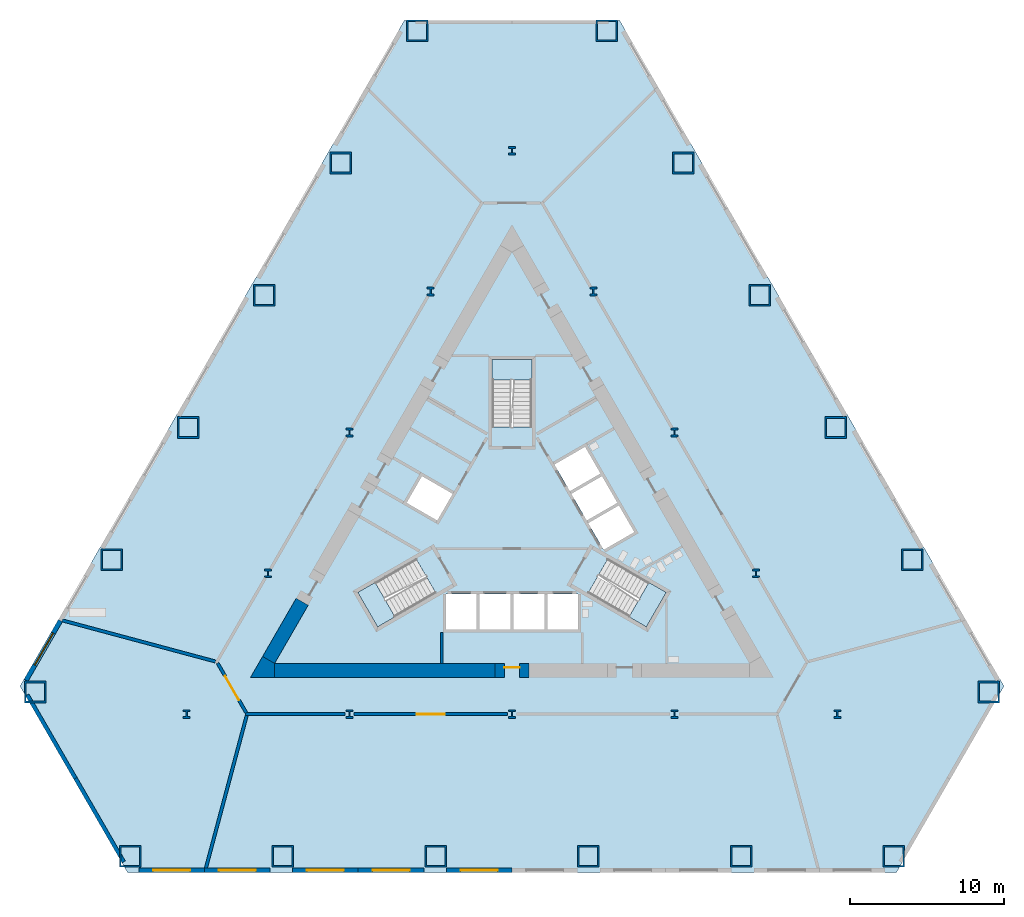
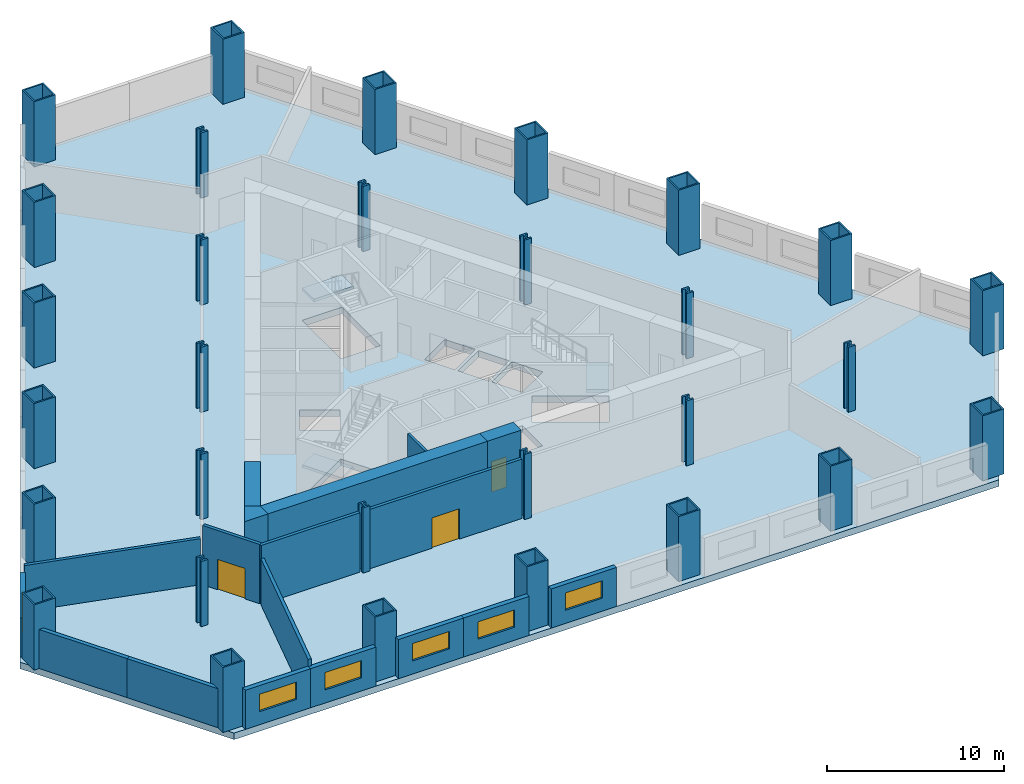
# One storey, part 1 of 8: 30 columns, 18 walls, 6 windows, 4 slabs, 3 doors, 9 openings, 3 elements without a shape of their own.
"""IFC4 building model written with IfcOpenShell, lengths in metres."""

from ifc_helpers import new_model, si_unit, direction, frame, frame_2d, origin, origin_2d, place, context, subcontext, project, spatial, polyline, rectangle, hollow_rectangle, i_section, outline, extrude, material, layer, layer_set, material_profile, profile_set, type_object, element, fill, aggregate, save


model = new_model("IFC4")

# Units and contexts
model_context = context("Model", 3, precision=1e-05, world=origin(), true_north=direction((0.0, 1.0)))
body_context = subcontext(model_context, "Body", "Model", "MODEL_VIEW")
ifc_project = project(units=[si_unit("LENGTHUNIT", "METRE"), si_unit("AREAUNIT", "SQUARE_METRE"), si_unit("VOLUMEUNIT", "CUBIC_METRE"), si_unit("PLANEANGLEUNIT", "RADIAN"), si_unit("MASSUNIT", "GRAM", prefix="KILO")], contexts=[model_context])

# Site, building, storey
site_placement = place(None, origin())
site = spatial("IfcSite", under=ifc_project, at=site_placement, CompositionType="ELEMENT")
building_placement = place(site_placement, origin())
building = spatial("IfcBuilding", under=site, at=building_placement, Name="Cormorant Prow Tower", CompositionType="ELEMENT")
storey_placement = place(building_placement, frame((0.0, 0.0, 25.5)))
storey = spatial("IfcBuildingStorey", under=building, at=storey_placement, Name="L04", CompositionType="ELEMENT", Elevation=25.5)

# Columns
ifc_material_1 = material(Name="Structural steel ASTM A572 Gr 50", Category="steel")
ifc_material_profile_1 = material_profile(ifc_material_1, hollow_rectangle(XDim=1.39990234375, YDim=1.39990234375, WallThickness=0.10009765625, at=origin_2d()), Name="Box 1400x1400x100")
ifc_profile_set_1 = profile_set([ifc_material_profile_1], Name="Structural steel ASTM A572 Gr 50")
column_type_1 = type_object("IfcColumnType", Name="Perimeter box column 1400x1400x100", PredefinedType="COLUMN", material=ifc_profile_set_1)
for number, where, z_axis, x_axis, name in (
    (1, (-24.830322265625, -21.4599609375, 0.0), (0.0, 0.0, 1.0), (1.0, 0.0, 0.0), "Perimeter column at S00 L04"),
    (2, (-14.898193359375, -21.4599609375, 0.0), (0.0, 0.0, 1.0), (1.0, 0.0, 0.0), "Perimeter column at S02 L04"),
    (3, (-4.966064453125, -21.4599609375, 0.0), (0.0, 0.0, 1.0), (1.0, 0.0, 0.0), "Perimeter column at S04 L04"),
    (4, (4.966064453125, -21.4599609375, 0.0), (0.0, 0.0, 1.0), (1.0, 0.0, 0.0), "Perimeter column at S06 L04"),
    (5, (14.898193359375, -21.4599609375, 0.0), (0.0, 0.0, 1.0), (1.0, 0.0, 0.0), "Perimeter column at S08 L04"),
    (6, (24.830322265625, -21.4599609375, 0.0), (0.0, 0.0, 1.0), (1.0, 0.0, 0.0), "Perimeter column at ESE00 L04"),
    (7, (31.0, -10.773681640625, 0.0), (0.0, 0.0, 1.0), (1.0, 0.0, 0.0), "Perimeter column at ENE00 L04"),
    (8, (26.033935546875, -2.17236328125, 0.0), (0.0, 0.0, 1.0), (1.0, 0.0, 0.0), "Perimeter column at ENE02 L04"),
    (9, (21.06787109375, 6.42919921875, 0.0), (0.0, 0.0, 1.0), (1.0, 0.0, 0.0), "Perimeter column at ENE04 L04"),
    (10, (16.101806640625, 15.03076171875, 0.0), (0.0, 0.0, 1.0), (1.0, 0.0, 0.0), "Perimeter column at ENE06 L04"),
    (11, (11.1357421875, 23.632080078125, 0.0), (0.0, 0.0, 1.0), (1.0, 0.0, 0.0), "Perimeter column at ENE08 L04"),
    (12, (6.169677734375, 32.233642578125, 0.0), (0.0, 0.0, 1.0), (1.0, 0.0, 0.0), "Perimeter column at N00 L04"),
    (13, (-6.169677734375, 32.233642578125, 0.0), (0.0, 0.0, 1.0), (1.0, 0.0, 0.0), "Perimeter column at WNW00 L04"),
    (14, (-11.1357421875, 23.632080078125, 0.0), (0.0, 0.0, 1.0), (1.0, 0.0, 0.0), "Perimeter column at WNW02 L04"),
    (15, (-16.101806640625, 15.03076171875, 0.0), (0.0, 0.0, 1.0), (1.0, 0.0, 0.0), "Perimeter column at WNW04 L04"),
    (16, (-21.06787109375, 6.42919921875, 0.0), (0.0, 0.0, 1.0), (1.0, 0.0, 0.0), "Perimeter column at WNW06 L04"),
    (17, (-26.033935546875, -2.17236328125, 0.0), (0.0, 0.0, 1.0), (1.0, 0.0, 0.0), "Perimeter column at WNW08 L04"),
    (18, (-31.0, -10.773681640625, 0.0), (0.0, 0.0, 1.0), (1.0, 0.0, 0.0), "Perimeter column at WSW00 L04"),
):
    element("IfcColumn", number, at=place(storey_placement, frame(where, z_axis=z_axis, x_axis=x_axis)), inside=storey, type_object=column_type_1, Name=name, PredefinedType="COLUMN", context=body_context, shape_type="SweptSolid", body=[
        extrude(hollow_rectangle(XDim=1.39990234375, YDim=1.39990234375, WallThickness=0.10009765625, at=origin_2d()), origin(), (0.0, 0.0, 1.0), 4.5),
    ])
ifc_material_2 = material(Name="Structural steel ASTM A992 Gr 50", Category="steel")
ifc_material_profile_2 = material_profile(ifc_material_2, i_section(OverallWidth=0.454345703125, OverallDepth=0.569580078125, WebThickness=0.077880859375, FlangeThickness=0.124755859375, at=origin_2d()), Name="W14x730")
ifc_profile_set_2 = profile_set([ifc_material_profile_2], Name="Structural steel ASTM A992 Gr 50")
column_type_2 = type_object("IfcColumnType", Name="Ring column W14x730", PredefinedType="COLUMN", material=ifc_profile_set_2)
for number, where, z_axis, x_axis, name in (
    (19, (0.0, 24.429931640625, 0.0), (0.0, 0.0, 1.0), (1.0, 0.0, 0.0), "Ring column 1 L04"),
    (20, (-5.289306640625, 15.268798828125, 0.0), (0.0, 0.0, 1.0), (1.0, 0.0, 0.0), "Ring column 2 L04"),
    (21, (-10.578369140625, 6.107421875, 0.0), (0.0, 0.0, 1.0), (1.0, 0.0, 0.0), "Ring column 3 L04"),
    (22, (-15.86767578125, -3.0537109375, 0.0), (0.0, 0.0, 1.0), (1.0, 0.0, 0.0), "Ring column 4 L04"),
    (23, (-21.156982421875, -12.21484375, 0.0), (0.0, 0.0, 1.0), (1.0, 0.0, 0.0), "Ring column 5 L04"),
    (24, (-10.578369140625, -12.21484375, 0.0), (0.0, 0.0, 1.0), (1.0, 0.0, 0.0), "Ring column 6 L04"),
    (25, (0.0, -12.21484375, 0.0), (0.0, 0.0, 1.0), (1.0, 0.0, 0.0), "Ring column 7 L04"),
    (26, (10.578369140625, -12.21484375, 0.0), (0.0, 0.0, 1.0), (1.0, 0.0, 0.0), "Ring column 8 L04"),
    (27, (21.156982421875, -12.21484375, 0.0), (0.0, 0.0, 1.0), (1.0, 0.0, 0.0), "Ring column 9 L04"),
    (28, (15.86767578125, -3.0537109375, 0.0), (0.0, 0.0, 1.0), (1.0, 0.0, 0.0), "Ring column 10 L04"),
    (29, (10.578369140625, 6.107421875, 0.0), (0.0, 0.0, 1.0), (1.0, 0.0, 0.0), "Ring column 11 L04"),
    (30, (5.289306640625, 15.268798828125, 0.0), (0.0, 0.0, 1.0), (1.0, 0.0, 0.0), "Ring column 12 L04"),
):
    element("IfcColumn", number, at=place(storey_placement, frame(where, z_axis=z_axis, x_axis=x_axis)), inside=storey, type_object=column_type_2, Name=name, PredefinedType="COLUMN", context=body_context, shape_type="SweptSolid", body=[
        extrude(i_section(OverallWidth=0.454345703125, OverallDepth=0.569580078125, WebThickness=0.077880859375, FlangeThickness=0.124755859375, at=origin_2d()), origin(), (0.0, 0.0, 1.0), 4.5),
    ])

# Slab
ifc_material_3 = material(Name="Concrete C40/50", Category="concrete")
ifc_layer_1 = layer(ifc_material_3, 0.449951171875)
ifc_layer_set_1 = layer_set([ifc_layer_1], Name="Concrete C40/50")
slab_type_1 = type_object("IfcSlabType", Name="Post-tensioned flat slab 450", PredefinedType="FLOOR", material=ifc_layer_set_1)
slab_1_placement = place(storey_placement, frame((0.0, 0.0, -0.449951171875)))
element("IfcSlab", 31, at=slab_1_placement, inside=storey, type_object=slab_type_1, Name="Floor slab L04", PredefinedType="FLOOR", context=body_context, shape_type="SweptSolid", body=[
    extrude(outline(polyline([(-9.5, 28.578857421875), (-12.0, 24.248779296875), (-14.5, 19.918701171875), (-17.0, 15.58837890625), (-19.5, 11.25830078125), (-22.0, 6.92822265625), (-24.5, 2.59814453125), (-27.0, -1.73193359375), (-29.5, -6.062255859375), (-32.0, -10.392333984375), (-28.5, -16.45458984375), (-25.0, -22.5166015625), (-20.0, -22.5166015625), (-15.0, -22.5166015625), (-10.0, -22.5166015625), (-5.0, -22.5166015625), (0.0, -22.5166015625), (5.0, -22.5166015625), (10.0, -22.5166015625), (15.0, -22.5166015625), (20.0, -22.5166015625), (25.0, -22.5166015625), (28.5, -16.45458984375), (32.0, -10.392333984375), (29.5, -6.062255859375), (27.0, -1.73193359375), (24.5, 2.59814453125), (22.0, 6.92822265625), (19.5, 11.25830078125), (17.0, 15.58837890625), (14.5, 19.918701171875), (12.0, 24.248779296875), (9.5, 28.578857421875), (7.0, 32.908935546875), (0.0, 32.908935546875), (-7.0, 32.908935546875), (-9.5, 28.578857421875)]), holes=[polyline([(-4.300048828125, -6.699951171875), (-4.300048828125, -4.39990234375), (-2.300048828125, -4.39990234375), (-2.300048828125, -6.699951171875), (-4.300048828125, -6.699951171875)]), polyline([(-2.10009765625, -4.39990234375), (-0.10009765625, -4.39990234375), (-0.10009765625, -6.699951171875), (-2.10009765625, -6.699951171875), (-2.10009765625, -4.39990234375)]), polyline([(2.10009765625, -4.39990234375), (2.10009765625, -6.699951171875), (0.10009765625, -6.699951171875), (0.10009765625, -4.39990234375), (2.10009765625, -4.39990234375)]), polyline([(4.300048828125, -6.699951171875), (2.300048828125, -6.699951171875), (2.300048828125, -4.39990234375), (4.300048828125, -4.39990234375), (4.300048828125, -6.699951171875)]), polyline([(7.952392578125, -0.373779296875), (5.96044921875, -1.52392578125), (4.96044921875, 0.2080078125), (6.952392578125, 1.358154296875), (7.952392578125, -0.373779296875)]), polyline([(4.860595703125, 0.38134765625), (3.860595703125, 2.11328125), (5.852294921875, 3.263427734375), (6.852294921875, 1.53125), (4.860595703125, 0.38134765625)]), polyline([(2.760498046875, 4.018798828125), (4.75244140625, 5.168701171875), (5.75244140625, 3.4365234375), (3.760498046875, 2.28662109375), (2.760498046875, 4.018798828125)]), polyline([(-6.852294921875, 1.53125), (-5.852294921875, 3.263427734375), (-3.860595703125, 2.11328125), (-4.860595703125, 0.38134765625), (-6.852294921875, 1.53125)]), polyline([(-4.947509765625, -4.3505859375), (-8.738037109375, -6.5390625), (-10.031982421875, -4.2978515625), (-6.241455078125, -2.109375), (-4.947509765625, -4.3505859375)]), polyline([(10.031982421875, -4.2978515625), (8.738037109375, -6.5390625), (4.947509765625, -4.3505859375), (6.241455078125, -2.109375), (10.031982421875, -4.2978515625)]), polyline([(1.2939453125, 10.8369140625), (1.2939453125, 6.459716796875), (-1.2939453125, 6.459716796875), (-1.2939453125, 10.8369140625), (1.2939453125, 10.8369140625)])]), origin(), (0.0, 0.0, 1.0), 0.449951171875),
])

# Stair, slab
ifc_material_4 = material(Name="Exit stair 24 risers")
stair_type = type_object("IfcStairType", Name="Exit stair 24 risers", PredefinedType="HALF_TURN_STAIR", material=ifc_material_4)
stair_1_placement = place(storey_placement, origin())
stair_1 = element("IfcStair", 32, at=stair_1_placement, inside=storey, type_object=stair_type, Name="L04 Exit stair ST1", PredefinedType="HALF_TURN_STAIR")
ifc_material_5 = material(Name="Concrete 5000 psi", Category="concrete")
ifc_layer_2 = layer(ifc_material_5, 0.199951171875)
ifc_layer_set_2 = layer_set([ifc_layer_2], Name="Concrete 5000 psi")
slab_type_2 = type_object("IfcSlabType", Name="Stair landing 200", PredefinedType="LANDING", material=ifc_layer_set_2)
slab_2_placement = place(storey_placement, frame((0.0, 0.0, 2.050048828125)))
slab_2 = element("IfcSlab", 33, at=slab_2_placement, type_object=slab_type_2, Name="ST1 landing 1", PredefinedType="LANDING", context=body_context, shape_type="SweptSolid", body=[
    extrude(outline(polyline([(-8.90185546875, -3.645263671875), (-10.031982421875, -4.2978515625), (-8.738037109375, -6.5390625), (-7.60791015625, -5.886474609375), (-8.90185546875, -3.645263671875)])), origin(), (0.0, 0.0, 1.0), 0.199951171875),
])
aggregate(stair_1, [slab_2])

stair_2_placement = place(storey_placement, origin())
stair_2 = element("IfcStair", 34, at=stair_2_placement, inside=storey, type_object=stair_type, Name="L04 Exit stair ST2", PredefinedType="HALF_TURN_STAIR")
slab_3_placement = place(storey_placement, frame((0.0, 0.0, 2.050048828125)))
slab_3 = element("IfcSlab", 35, at=slab_3_placement, type_object=slab_type_2, Name="ST2 landing 1", PredefinedType="LANDING", context=body_context, shape_type="SweptSolid", body=[
    extrude(outline(polyline([(7.60791015625, -5.886474609375), (8.738037109375, -6.5390625), (10.031982421875, -4.2978515625), (8.90185546875, -3.645263671875), (7.60791015625, -5.886474609375)])), origin(), (0.0, 0.0, 1.0), 0.199951171875),
])
aggregate(stair_2, [slab_3])

stair_3_placement = place(storey_placement, origin())
stair_3 = element("IfcStair", 36, at=stair_3_placement, inside=storey, type_object=stair_type, Name="L04 Exit stair ST3", PredefinedType="HALF_TURN_STAIR")
slab_4_placement = place(storey_placement, frame((0.0, 0.0, 2.050048828125)))
slab_4 = element("IfcSlab", 37, at=slab_4_placement, type_object=slab_type_2, Name="ST3 landing 1", PredefinedType="LANDING", context=body_context, shape_type="SweptSolid", body=[
    extrude(outline(polyline([(1.2939453125, 9.53173828125), (1.2939453125, 10.8369140625), (-1.2939453125, 10.8369140625), (-1.2939453125, 9.53173828125), (1.2939453125, 9.53173828125)])), origin(), (0.0, 0.0, 1.0), 0.199951171875),
])
aggregate(stair_3, [slab_4])

# Walls
ifc_material_6 = material(Name="Gypsum board partition")
ifc_layer_3 = layer(ifc_material_6, 0.14990234375)
ifc_layer_set_3 = layer_set([ifc_layer_3], Name="Gypsum board partition")
wall_type_1 = type_object("IfcWallType", Name="Core partition 150", PredefinedType="PARTITIONING", material=ifc_layer_set_3)
wall_1_placement = place(storey_placement, frame((-4.574951171875, -6.906005859375, 0.0), z_axis=(0.0, 0.0, 1.0), x_axis=(0.0, -1.0, 0.0)))
element("IfcWall", 38, at=wall_1_placement, inside=storey, type_object=wall_type_1, Name="Service room partition", PredefinedType="PARTITIONING", context=body_context, shape_type="SweptSolid", body=[
    extrude(rectangle(XDim=2.009033203125, YDim=0.14990234375, at=frame_2d((1.00439453125, 0.0))), origin(), (0.0, 0.0, 1.0), 4.10009765625),
])
ifc_material_7 = material(Name="Concrete 8000 psi", Category="concrete")
ifc_layer_4 = layer(ifc_material_7, 0.89990234375)
ifc_layer_set_4 = layer_set([ifc_layer_4], Name="Concrete 8000 psi")
wall_type_2 = type_object("IfcWallType", Name="Core shear wall 900", PredefinedType="SHEAR", material=ifc_layer_set_4)
wall_2_placement = place(storey_placement, frame((-15.441162109375, -9.364990234375, 0.0), z_axis=(0.0, 0.0, 1.0), x_axis=(1.0, 0.0, 0.0)))
element("IfcWall", 39, at=wall_2_placement, inside=storey, type_object=wall_type_2, Name="Core wall", PredefinedType="SHEAR", context=body_context, shape_type="SweptSolid", body=[
    extrude(rectangle(XDim=14.341064453125, YDim=0.89990234375, at=frame_2d((7.17041015625, 0.0))), origin(), (0.0, 0.0, 1.0), 4.10009765625),
])
wall_3_placement = place(storey_placement, frame((-13.6455078125, -4.90478515625, 0.0), z_axis=(0.0, 0.0, 1.0), x_axis=(-0.499990005186, -0.866031174216, 0.0)))
element("IfcWall", 40, at=wall_3_placement, inside=storey, type_object=wall_type_2, Name="Core wall", PredefinedType="SHEAR", context=body_context, shape_type="SweptSolid", body=[
    extrude(rectangle(XDim=4.37060546875, YDim=0.89990234375, at=frame_2d((2.185302734375, 0.0))), origin(), (0.0, 0.0, 1.0), 4.10009765625),
])
wall_4_placement = place(storey_placement, origin())
element("IfcWall", 41, at=wall_4_placement, inside=storey, type_object=wall_type_2, Name="Core wall corner", PredefinedType="SHEAR", context=body_context, shape_type="SweptSolid", body=[
    extrude(outline(polyline([(-16.220703125, -8.465087890625), (-15.441162109375, -8.9150390625), (-15.441162109375, -9.81494140625), (-17.0, -9.81494140625), (-16.220703125, -8.465087890625)])), origin(), (0.0, 0.0, 1.0), 4.10009765625),
])

# Wall, opening, door
wall_5_placement = place(storey_placement, frame((-1.10009765625, -9.364990234375, 0.0), z_axis=(0.0, 0.0, 1.0), x_axis=(1.0, 0.0, 0.0)))
wall_5 = element("IfcWall", 42, at=wall_5_placement, inside=storey, type_object=wall_type_2, Name="Core wall door panel", PredefinedType="SHEAR", context=body_context, shape_type="SweptSolid", body=[
    extrude(rectangle(XDim=2.2001953125, YDim=0.89990234375, at=frame_2d((1.10009765625, 0.0))), origin(), (0.0, 0.0, 1.0), 4.10009765625),
])
opening_1_placement = place(wall_5_placement, frame((0.60009765625, 0.0, 0.0)))
opening_1 = element("IfcOpeningElement", 43, at=opening_1_placement, cuts=wall_5, Name="Opening L04-C15", PredefinedType="OPENING", context=body_context, shape_type="SweptSolid", body=[
    extrude(rectangle(XDim=1.0, YDim=2.10009765625, at=frame_2d((0.5, 1.050048828125))), frame((0.0, 0.4599609375, 0.0), z_axis=(0.0, -1.0, 0.0), x_axis=(1.0, 0.0, 0.0)), (0.0, 0.0, 1.0), 0.919921875),
])
ifc_material_8 = material(Name="Painted steel", Category="steel")
door_type_1 = type_object("IfcDoorType", Name="Service door 1000x2100", OperationType="NOTDEFINED", PredefinedType="DOOR", material=ifc_material_8)
door_1_placement = place(opening_1_placement, origin())
door_1 = element("IfcDoor", 44, at=door_1_placement, inside=storey, type_object=door_type_1, Name="Core door, Electrical room", OperationType="SINGLE_SWING_LEFT", OverallHeight=2.10009765625, OverallWidth=1.0, PredefinedType="DOOR", context=body_context, shape_type="SweptSolid", body=[
    extrude(rectangle(XDim=1.0, YDim=2.10009765625, at=frame_2d((0.5, 1.050048828125))), frame((0.0, 0.205078125, 0.0), z_axis=(0.0, -1.0, 0.0), x_axis=(1.0, 0.0, 0.0)), (0.0, 0.0, 1.0), 0.050048828125),
])
fill(opening_1, door_1)

ifc_material_9 = material(Name="Gypsum board corridor wall")
ifc_layer_5 = layer(ifc_material_9, 0.199951171875)
ifc_layer_set_5 = layer_set([ifc_layer_5], Name="Gypsum board corridor wall")
wall_type_3 = type_object("IfcWallType", Name="Corridor wall 200", PredefinedType="PARTITIONING", material=ifc_layer_set_5)
wall_6_placement = place(storey_placement, frame((-10.28369140625, -12.215087890625, 0.0), z_axis=(0.0, 0.0, 1.0), x_axis=(1.0, 0.0, 0.0)))
wall_6 = element("IfcWall", 45, at=wall_6_placement, inside=storey, type_object=wall_type_3, Name="Corridor wall", PredefinedType="PARTITIONING", context=body_context, shape_type="SweptSolid", body=[
    extrude(rectangle(XDim=9.98876953125, YDim=0.199951171875, at=frame_2d((4.994384765625, 0.0))), origin(), (0.0, 0.0, 1.0), 4.10009765625),
])
opening_2_placement = place(wall_6_placement, frame((4.094482421875, 0.0, 0.0)))
opening_2 = element("IfcOpeningElement", 46, at=opening_2_placement, cuts=wall_6, Name="Opening L04-F01", PredefinedType="OPENING", context=body_context, shape_type="SweptSolid", body=[
    extrude(rectangle(XDim=1.800048828125, YDim=2.10009765625, at=frame_2d((0.89990234375, 1.050048828125))), frame((0.0, 0.10986328125, 0.0), z_axis=(0.0, -1.0, 0.0), x_axis=(1.0, 0.0, 0.0)), (0.0, 0.0, 1.0), 0.219970703125),
])
ifc_material_10 = material(Name="Timber door leaf", Category="wood")
door_type_2 = type_object("IfcDoorType", Name="Double door 1800x2100", OperationType="DOUBLE_DOOR_SINGLE_SWING", PredefinedType="DOOR", material=ifc_material_10)
door_2_placement = place(opening_2_placement, origin())
door_2 = element("IfcDoor", 47, at=door_2_placement, inside=storey, type_object=door_type_2, Name="Business club office door", OperationType="DOUBLE_DOOR_SINGLE_SWING", OverallHeight=2.10009765625, OverallWidth=1.800048828125, PredefinedType="DOOR", context=body_context, shape_type="SweptSolid", body=[
    extrude(rectangle(XDim=1.800048828125, YDim=2.10009765625, at=frame_2d((0.89990234375, 1.050048828125))), frame((0.0, 0.02490234375, 0.0), z_axis=(0.0, -1.0, 0.0), x_axis=(1.0, 0.0, 0.0)), (0.0, 0.0, 1.0), 0.050048828125),
])
fill(opening_2, door_2)

# Wall
wall_7_placement = place(storey_placement, frame((-17.330810546875, -12.215087890625, 0.0), z_axis=(0.0, 0.0, 1.0), x_axis=(1.0, 0.0, 0.0)))
element("IfcWall", 48, at=wall_7_placement, inside=storey, type_object=wall_type_3, Name="Corridor wall", PredefinedType="PARTITIONING", context=body_context, shape_type="SweptSolid", body=[
    extrude(rectangle(XDim=6.45751953125, YDim=0.199951171875, at=frame_2d((3.228759765625, 0.0))), origin(), (0.0, 0.0, 1.0), 4.10009765625),
])

# Wall, opening, door
wall_8_placement = place(storey_placement, frame((-19.143798828125, -8.901611328125, 0.0), z_axis=(0.0, 0.0, 1.0), x_axis=(0.499958791762, -0.866049194065, 0.0)))
wall_8 = element("IfcWall", 49, at=wall_8_placement, inside=storey, type_object=wall_type_3, Name="Corridor wall", PredefinedType="PARTITIONING", context=body_context, shape_type="SweptSolid", body=[
    extrude(rectangle(XDim=3.725830078125, YDim=0.199951171875, at=frame_2d((1.86279296875, 0.0))), origin(), (0.0, 0.0, 1.0), 4.10009765625),
])
opening_3_placement = place(wall_8_placement, frame((0.962890625, 0.0, 0.0)))
opening_3 = element("IfcOpeningElement", 50, at=opening_3_placement, cuts=wall_8, Name="Opening L04-F03", PredefinedType="OPENING", context=body_context, shape_type="SweptSolid", body=[
    extrude(rectangle(XDim=1.800048828125, YDim=2.10009765625, at=frame_2d((0.89990234375, 1.050048828125))), frame((0.0, 0.10986328125, 0.0), z_axis=(0.0, -1.0, 0.0), x_axis=(1.0, 0.0, 0.0)), (0.0, 0.0, 1.0), 0.219970703125),
])
door_3_placement = place(opening_3_placement, origin())
door_3 = element("IfcDoor", 51, at=door_3_placement, inside=storey, type_object=door_type_2, Name="Members library door", OperationType="DOUBLE_DOOR_SINGLE_SWING", OverallHeight=2.10009765625, OverallWidth=1.800048828125, PredefinedType="DOOR", context=body_context, shape_type="SweptSolid", body=[
    extrude(rectangle(XDim=1.800048828125, YDim=2.10009765625, at=frame_2d((0.89990234375, 1.050048828125))), frame((0.0, 0.02490234375, 0.0), z_axis=(0.0, -1.0, 0.0), x_axis=(1.0, 0.0, 0.0)), (0.0, 0.0, 1.0), 0.050048828125),
])
fill(opening_3, door_3)

# Walls
ifc_material_11 = material(Name="Gypsum board demising wall")
ifc_layer_6 = layer(ifc_material_11, 0.199951171875)
ifc_layer_set_6 = layer_set([ifc_layer_6], Name="Gypsum board demising wall")
wall_type_4 = type_object("IfcWallType", Name="Demising wall 200", PredefinedType="PARTITIONING", material=ifc_layer_set_6)
for number, where, z_axis, x_axis, name in (
    (52, (-29.251953125, -6.115478515625, 0.0), (0.0, 0.0, 1.0), (0.965818413341, -0.259219583464, 0.0), "Demising wall"),
    (53, (-19.921875, -22.275146484375, 0.0), (0.0, 0.0, 1.0), (0.258415425443, 0.966033885479, 0.0), "Demising wall"),
):
    element("IfcWall", number, at=place(storey_placement, frame(where, z_axis=z_axis, x_axis=x_axis)), inside=storey, type_object=wall_type_4, Name=name, PredefinedType="PARTITIONING", context=body_context, shape_type="SweptSolid", body=[
        extrude(rectangle(XDim=10.31396484375, YDim=0.199951171875, at=frame_2d((5.156982421875, 0.0))), origin(), (0.0, 0.0, 1.0), 3.185302734375),
    ])
ifc_material_12 = material(Name="Terracotta", Category="masonry")
ifc_layer_7 = layer(ifc_material_12, 0.25)
ifc_layer_set_7 = layer_set([ifc_layer_7], Name="Terracotta")
wall_type_5 = type_object("IfcWallType", Name="Terracotta bay wall 250", PredefinedType="SOLIDWALL", material=ifc_layer_set_7)
wall_9_placement = place(storey_placement, frame((-31.52685546875, -10.9619140625, 0.0), z_axis=(0.0, 0.0, 1.0), x_axis=(0.499987597971, -0.866032563981, 0.0)))
element("IfcWall", 54, at=wall_9_placement, inside=storey, type_object=wall_type_5, Name="Terracotta bay wall WSW00", PredefinedType="SOLIDWALL", context=body_context, shape_type="SweptSolid", body=[
    extrude(rectangle(XDim=6.270263671875, YDim=0.25, at=frame_2d((3.13525390625, 0.0))), origin(), (0.0, 0.0, 1.0), 2.699951171875),
])
wall_10_placement = place(storey_placement, frame((-28.391845703125, -16.39208984375, 0.0), z_axis=(0.0, 0.0, 1.0), x_axis=(0.5000044583, -0.866022829768, 0.0)))
element("IfcWall", 55, at=wall_10_placement, inside=storey, type_object=wall_type_5, Name="Terracotta bay wall WSW01", PredefinedType="SOLIDWALL", context=body_context, shape_type="SweptSolid", body=[
    extrude(rectangle(XDim=6.27001953125, YDim=0.25, at=frame_2d((3.135009765625, 0.0))), origin(), (0.0, 0.0, 1.0), 2.699951171875),
])

# Wall, opening, window
ifc_material_13 = material(Name="Terracotta", Category="masonry")
ifc_layer_8 = layer(ifc_material_13, 0.300048828125)
ifc_layer_set_8 = layer_set([ifc_layer_8], Name="Terracotta")
wall_type_6 = type_object("IfcWallType", Name="Terracotta podium cladding wall 300", PredefinedType="SOLIDWALL", material=ifc_layer_set_8)
wall_11_placement = place(storey_placement, frame((-24.27001953125, -22.36669921875, 0.0), z_axis=(0.0, 0.0, 1.0), x_axis=(1.0, 0.0, 0.0)))
wall_11 = element("IfcWall", 56, at=wall_11_placement, inside=storey, type_object=wall_type_6, Name="Terracotta podium wall S00", PredefinedType="SOLIDWALL", context=body_context, shape_type="SweptSolid", body=[
    extrude(rectangle(XDim=4.27001953125, YDim=0.300048828125, at=frame_2d((2.135009765625, 0.0))), origin(), (0.0, 0.0, 1.0), 2.699951171875),
])
opening_4_placement = place(wall_11_placement, frame((0.93505859375, 0.0, 0.89990234375)))
opening_4 = element("IfcOpeningElement", 57, at=opening_4_placement, cuts=wall_11, Name="Opening WN23", PredefinedType="OPENING", context=body_context, shape_type="SweptSolid", body=[
    extrude(rectangle(XDim=2.39990234375, YDim=1.199951171875, at=frame_2d((1.199951171875, 0.60009765625))), frame((0.0, 0.159912109375, 0.0), z_axis=(0.0, -1.0, 0.0), x_axis=(1.0, 0.0, 0.0)), (0.0, 0.0, 1.0), 0.320068359375),
])
ifc_material_14 = material(Name="Aluminium 6063-T6", Category="aluminium")
window_type = type_object("IfcWindowType", Name="Podium window 2400x1200", PartitioningType="SINGLE_PANEL", PredefinedType="WINDOW", material=ifc_material_14)
window_1_placement = place(opening_4_placement, origin())
window_1 = element("IfcWindow", 58, at=window_1_placement, inside=storey, type_object=window_type, Name="Podium window S00", OverallHeight=1.199951171875, OverallWidth=2.39990234375, PartitioningType="SINGLE_PANEL", PredefinedType="WINDOW", context=body_context, shape_type="SweptSolid", body=[
    extrude(rectangle(XDim=2.39990234375, YDim=1.199951171875, at=frame_2d((1.199951171875, 0.60009765625))), frame((0.0, 0.030029296875, 0.0), z_axis=(0.0, -1.0, 0.0), x_axis=(1.0, 0.0, 0.0)), (0.0, 0.0, 1.0), 0.06005859375),
])
fill(opening_4, window_1)

wall_12_placement = place(storey_placement, frame((-20.0, -22.36669921875, 0.0), z_axis=(0.0, 0.0, 1.0), x_axis=(1.0, 0.0, 0.0)))
wall_12 = element("IfcWall", 59, at=wall_12_placement, inside=storey, type_object=wall_type_6, Name="Terracotta podium wall S01", PredefinedType="SOLIDWALL", context=body_context, shape_type="SweptSolid", body=[
    extrude(rectangle(XDim=4.27001953125, YDim=0.300048828125, at=frame_2d((2.135009765625, 0.0))), origin(), (0.0, 0.0, 1.0), 2.699951171875),
])
opening_5_placement = place(wall_12_placement, frame((0.93505859375, 0.0, 0.89990234375)))
opening_5 = element("IfcOpeningElement", 60, at=opening_5_placement, cuts=wall_12, Name="Opening WN23", PredefinedType="OPENING", context=body_context, shape_type="SweptSolid", body=[
    extrude(rectangle(XDim=2.39990234375, YDim=1.199951171875, at=frame_2d((1.199951171875, 0.60009765625))), frame((0.0, 0.159912109375, 0.0), z_axis=(0.0, -1.0, 0.0), x_axis=(1.0, 0.0, 0.0)), (0.0, 0.0, 1.0), 0.320068359375),
])
window_2_placement = place(opening_5_placement, origin())
window_2 = element("IfcWindow", 61, at=window_2_placement, inside=storey, type_object=window_type, Name="Podium window S01", OverallHeight=1.199951171875, OverallWidth=2.39990234375, PartitioningType="SINGLE_PANEL", PredefinedType="WINDOW", context=body_context, shape_type="SweptSolid", body=[
    extrude(rectangle(XDim=2.39990234375, YDim=1.199951171875, at=frame_2d((1.199951171875, 0.60009765625))), frame((0.0, 0.030029296875, 0.0), z_axis=(0.0, -1.0, 0.0), x_axis=(1.0, 0.0, 0.0)), (0.0, 0.0, 1.0), 0.06005859375),
])
fill(opening_5, window_2)

wall_13_placement = place(storey_placement, frame((-14.27001953125, -22.36669921875, 0.0), z_axis=(0.0, 0.0, 1.0), x_axis=(1.0, 0.0, 0.0)))
wall_13 = element("IfcWall", 62, at=wall_13_placement, inside=storey, type_object=wall_type_6, Name="Terracotta podium wall S02", PredefinedType="SOLIDWALL", context=body_context, shape_type="SweptSolid", body=[
    extrude(rectangle(XDim=4.27001953125, YDim=0.300048828125, at=frame_2d((2.135009765625, 0.0))), origin(), (0.0, 0.0, 1.0), 2.699951171875),
])
opening_6_placement = place(wall_13_placement, frame((0.93505859375, 0.0, 0.89990234375)))
opening_6 = element("IfcOpeningElement", 63, at=opening_6_placement, cuts=wall_13, Name="Opening WN23", PredefinedType="OPENING", context=body_context, shape_type="SweptSolid", body=[
    extrude(rectangle(XDim=2.39990234375, YDim=1.199951171875, at=frame_2d((1.199951171875, 0.60009765625))), frame((0.0, 0.159912109375, 0.0), z_axis=(0.0, -1.0, 0.0), x_axis=(1.0, 0.0, 0.0)), (0.0, 0.0, 1.0), 0.320068359375),
])
window_3_placement = place(opening_6_placement, origin())
window_3 = element("IfcWindow", 64, at=window_3_placement, inside=storey, type_object=window_type, Name="Podium window S02", OverallHeight=1.199951171875, OverallWidth=2.39990234375, PartitioningType="SINGLE_PANEL", PredefinedType="WINDOW", context=body_context, shape_type="SweptSolid", body=[
    extrude(rectangle(XDim=2.39990234375, YDim=1.199951171875, at=frame_2d((1.199951171875, 0.60009765625))), frame((0.0, 0.030029296875, 0.0), z_axis=(0.0, -1.0, 0.0), x_axis=(1.0, 0.0, 0.0)), (0.0, 0.0, 1.0), 0.06005859375),
])
fill(opening_6, window_3)

wall_14_placement = place(storey_placement, frame((-10.0, -22.36669921875, 0.0), z_axis=(0.0, 0.0, 1.0), x_axis=(1.0, 0.0, 0.0)))
wall_14 = element("IfcWall", 65, at=wall_14_placement, inside=storey, type_object=wall_type_6, Name="Terracotta podium wall S03", PredefinedType="SOLIDWALL", context=body_context, shape_type="SweptSolid", body=[
    extrude(rectangle(XDim=4.27001953125, YDim=0.300048828125, at=frame_2d((2.135009765625, 0.0))), origin(), (0.0, 0.0, 1.0), 2.699951171875),
])
opening_7_placement = place(wall_14_placement, frame((0.93505859375, 0.0, 0.89990234375)))
opening_7 = element("IfcOpeningElement", 66, at=opening_7_placement, cuts=wall_14, Name="Opening WN23", PredefinedType="OPENING", context=body_context, shape_type="SweptSolid", body=[
    extrude(rectangle(XDim=2.39990234375, YDim=1.199951171875, at=frame_2d((1.199951171875, 0.60009765625))), frame((0.0, 0.159912109375, 0.0), z_axis=(0.0, -1.0, 0.0), x_axis=(1.0, 0.0, 0.0)), (0.0, 0.0, 1.0), 0.320068359375),
])
window_4_placement = place(opening_7_placement, origin())
window_4 = element("IfcWindow", 67, at=window_4_placement, inside=storey, type_object=window_type, Name="Podium window S03", OverallHeight=1.199951171875, OverallWidth=2.39990234375, PartitioningType="SINGLE_PANEL", PredefinedType="WINDOW", context=body_context, shape_type="SweptSolid", body=[
    extrude(rectangle(XDim=2.39990234375, YDim=1.199951171875, at=frame_2d((1.199951171875, 0.60009765625))), frame((0.0, 0.030029296875, 0.0), z_axis=(0.0, -1.0, 0.0), x_axis=(1.0, 0.0, 0.0)), (0.0, 0.0, 1.0), 0.06005859375),
])
fill(opening_7, window_4)

wall_15_placement = place(storey_placement, frame((-4.27001953125, -22.36669921875, 0.0), z_axis=(0.0, 0.0, 1.0), x_axis=(1.0, 0.0, 0.0)))
wall_15 = element("IfcWall", 68, at=wall_15_placement, inside=storey, type_object=wall_type_6, Name="Terracotta podium wall S04", PredefinedType="SOLIDWALL", context=body_context, shape_type="SweptSolid", body=[
    extrude(rectangle(XDim=4.27001953125, YDim=0.300048828125, at=frame_2d((2.135009765625, 0.0))), origin(), (0.0, 0.0, 1.0), 2.699951171875),
])
opening_8_placement = place(wall_15_placement, frame((0.93505859375, 0.0, 0.89990234375)))
opening_8 = element("IfcOpeningElement", 69, at=opening_8_placement, cuts=wall_15, Name="Opening WN23", PredefinedType="OPENING", context=body_context, shape_type="SweptSolid", body=[
    extrude(rectangle(XDim=2.39990234375, YDim=1.199951171875, at=frame_2d((1.199951171875, 0.60009765625))), frame((0.0, 0.159912109375, 0.0), z_axis=(0.0, -1.0, 0.0), x_axis=(1.0, 0.0, 0.0)), (0.0, 0.0, 1.0), 0.320068359375),
])
window_5_placement = place(opening_8_placement, origin())
window_5 = element("IfcWindow", 70, at=window_5_placement, inside=storey, type_object=window_type, Name="Podium window S04", OverallHeight=1.199951171875, OverallWidth=2.39990234375, PartitioningType="SINGLE_PANEL", PredefinedType="WINDOW", context=body_context, shape_type="SweptSolid", body=[
    extrude(rectangle(XDim=2.39990234375, YDim=1.199951171875, at=frame_2d((1.199951171875, 0.60009765625))), frame((0.0, 0.030029296875, 0.0), z_axis=(0.0, -1.0, 0.0), x_axis=(1.0, 0.0, 0.0)), (0.0, 0.0, 1.0), 0.06005859375),
])
fill(opening_8, window_5)

wall_16_placement = place(storey_placement, frame((-29.3701171875, -6.13720703125, 0.0), z_axis=(0.0, 0.0, 1.0), x_axis=(-0.49999314502, -0.866029361473, 0.0)))
wall_16 = element("IfcWall", 71, at=wall_16_placement, inside=storey, type_object=wall_type_6, Name="Terracotta podium wall WNW09", PredefinedType="SOLIDWALL", context=body_context, shape_type="SweptSolid", body=[
    extrude(rectangle(XDim=4.47607421875, YDim=0.300048828125, at=frame_2d((2.238037109375, 0.0))), origin(), (0.0, 0.0, 1.0), 2.699951171875),
])
opening_9_placement = place(wall_16_placement, frame((0.93505859375, 0.0, 0.89990234375)))
opening_9 = element("IfcOpeningElement", 72, at=opening_9_placement, cuts=wall_16, Name="Opening WN23", PredefinedType="OPENING", context=body_context, shape_type="SweptSolid", body=[
    extrude(rectangle(XDim=2.39990234375, YDim=1.199951171875, at=frame_2d((1.199951171875, 0.60009765625))), frame((0.0, 0.159912109375, 0.0), z_axis=(0.0, -1.0, 0.0), x_axis=(1.0, 0.0, 0.0)), (0.0, 0.0, 1.0), 0.320068359375),
])
window_6_placement = place(opening_9_placement, origin())
window_6 = element("IfcWindow", 73, at=window_6_placement, inside=storey, type_object=window_type, Name="Podium window WNW09", OverallHeight=1.199951171875, OverallWidth=2.39990234375, PartitioningType="SINGLE_PANEL", PredefinedType="WINDOW", context=body_context, shape_type="SweptSolid", body=[
    extrude(rectangle(XDim=2.39990234375, YDim=1.199951171875, at=frame_2d((1.199951171875, 0.60009765625))), frame((0.0, 0.030029296875, 0.0), z_axis=(0.0, -1.0, 0.0), x_axis=(1.0, 0.0, 0.0)), (0.0, 0.0, 1.0), 0.06005859375),
])
fill(opening_9, window_6)

save(model, "model.ifc")
